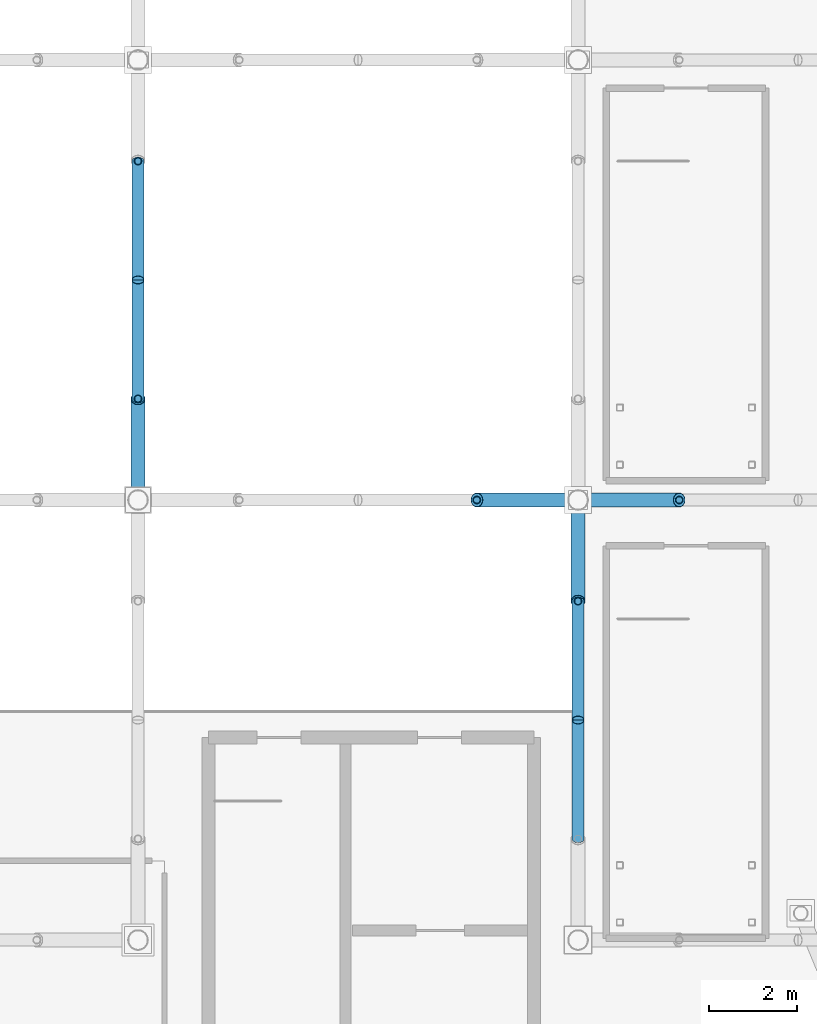
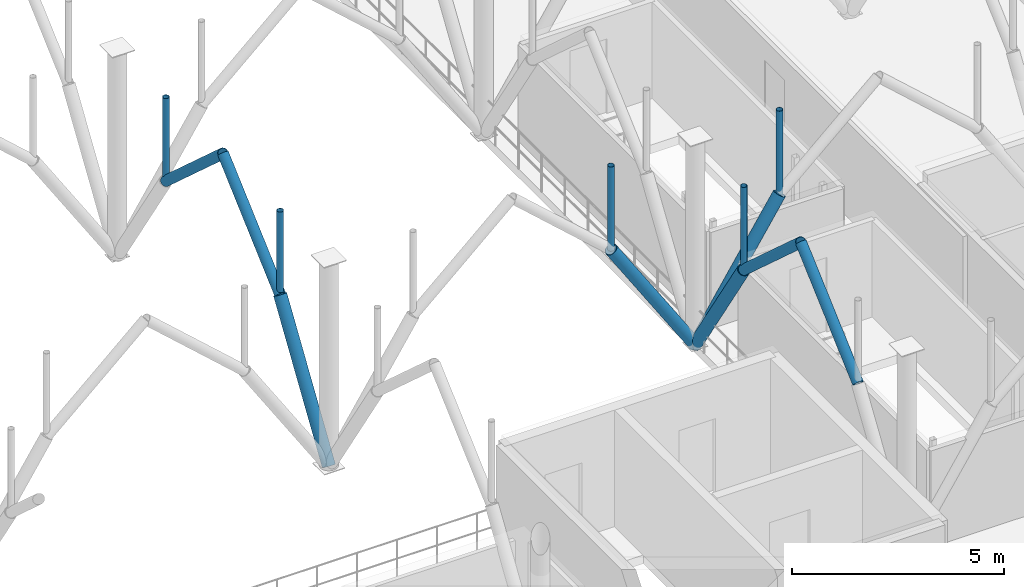
# One storey, part 67 of 109: 13 members.
"""IFC4 building model written with IfcOpenShell, lengths in metres."""

from ifc_helpers import new_model, si_unit, derived_unit, direction, frame, origin, origin_2d_with_axis, place, context, subcontext, project, spatial, hollow_circle, extrude, material, material_profile, profile_set, type_object, element, save


model = new_model("IFC4")

# Units and contexts
model_context = context("Model", 3, precision=1e-05, world=origin(), true_north=direction((0.0, 1.0)))
body_context = subcontext(model_context, "Body", "Model", "MODEL_VIEW")
ifc_project = project(units=[si_unit("LENGTHUNIT", "METRE"), si_unit("AREAUNIT", "SQUARE_METRE"), si_unit("VOLUMEUNIT", "CUBIC_METRE"), si_unit("PLANEANGLEUNIT", "RADIAN"), si_unit("MASSUNIT", "GRAM", prefix="KILO"), derived_unit("THERMALTRANSMITTANCEUNIT", [(si_unit("POWERUNIT", "WATT"), 1), (si_unit("LENGTHUNIT", "METRE"), -2), (si_unit("THERMODYNAMICTEMPERATUREUNIT", "KELVIN"), -1)])], contexts=[model_context])

# Site, building, storey
site_placement = place(None, origin())
site = spatial("IfcSite", under=ifc_project, at=site_placement, CompositionType="ELEMENT")
building_placement = place(site_placement, origin())
building = spatial("IfcBuilding", under=site, at=building_placement, Name="Cinnabar Yard Market Hall", CompositionType="ELEMENT")
storey_placement = place(building_placement, frame((0.0, 0.0, 8.39990234375)))
storey = spatial("IfcBuildingStorey", under=building, at=storey_placement, Name="L02", CompositionType="ELEMENT", Elevation=8.39990234375)

# Members
ifc_material_1 = material(Name="Spotted-gum glulam-clad steel Grade 350 (350 MPa)", Category="steel")
ifc_material_profile_1 = material_profile(ifc_material_1, hollow_circle(Radius=0.136474609375, WallThickness=0.00927734375, at=origin_2d_with_axis()), Name="273.1x9.3CHS")
ifc_profile_set_1 = profile_set([ifc_material_profile_1], Name="Spotted-gum glulam-clad steel Grade 350 (350 MPa)")
member_type_1 = type_object("IfcMemberType", Name="MB-AR01", PredefinedType="USERDEFINED", material=ifc_profile_set_1)
for number, where, z_axis, x_axis, name in (
    (1, (136.0, 36.300048828125, 3.550048828125), (0.0, 0.743297488271, 0.668961018244), (-1.0, 0.0, 0.0), "Pointed Arch Rib 0104"),
    (2, (136.0, 41.699951171875, 3.550048828125), (0.0, -0.743297488271, 0.668961018244), (1.0, 0.0, 0.0), "Pointed Arch Rib 0109"),
    (3, (146.0, 26.300048828125, 3.550048828125), (0.0, 0.743297488271, 0.668961018244), (-1.0, 0.0, 0.0), "Pointed Arch Rib 0117"),
    (4, (146.0, 31.699951171875, 3.550048828125), (0.0, -0.743297488271, 0.668961018244), (1.0, 0.0, 0.0), "Pointed Arch Rib 0121"),
):
    element("IfcMember", number, at=place(storey_placement, frame(where, z_axis=z_axis, x_axis=x_axis)), inside=storey, type_object=member_type_1, Name=name, ObjectType="ARCH RIB", PredefinedType="USERDEFINED", context=body_context, shape_type="SweptSolid", body=[
        extrude(hollow_circle(Radius=0.136474609375, WallThickness=0.00927734375, at=origin_2d_with_axis()), origin(), (0.0, 0.0, 1.0), 3.63232421875),
    ])
ifc_material_profile_2 = material_profile(ifc_material_1, hollow_circle(Radius=0.161865234375, WallThickness=0.009521484375, at=origin_2d_with_axis()), Name="323.9x9.5CHS")
ifc_profile_set_2 = profile_set([ifc_material_profile_2], Name="Spotted-gum glulam-clad steel Grade 350 (350 MPa)")
member_type_2 = type_object("IfcMemberType", Name="MB-ST01", PredefinedType="STRUT", material=ifc_profile_set_2)
for number, where, z_axis, x_axis, name in (
    (5, (136.0, 34.0, 0.0), (0.0, 0.543744165176, 0.839251024925), (-1.0, 0.0, 0.0), "Curved Branch Arm Lower 0104"),
    (6, (146.0, 34.0, 0.0), (0.543744165176, 0.0, 0.839251024925), (0.0, 1.0, 0.0), "Curved Branch Arm Lower 0118"),
    (7, (146.0, 34.0, 0.0), (-0.543744165176, 0.0, 0.839251024925), (0.0, -1.0, 0.0), "Curved Branch Arm Lower 0119"),
    (8, (146.0, 34.0, 0.0), (0.0, -0.543744165176, 0.839251024925), (1.0, 0.0, 0.0), "Curved Branch Arm Lower 0121"),
):
    element("IfcMember", number, at=place(storey_placement, frame(where, z_axis=z_axis, x_axis=x_axis)), inside=storey, type_object=member_type_2, Name=name, PredefinedType="STRUT", context=body_context, shape_type="SweptSolid", body=[
        extrude(hollow_circle(Radius=0.161865234375, WallThickness=0.009521484375, at=origin_2d_with_axis()), origin(), (0.0, 0.0, 1.0), 4.22998046875),
    ])
ifc_material_2 = material(Name="Cold-formed steel C350L0", Category="steel")
ifc_material_profile_3 = material_profile(ifc_material_2, hollow_circle(Radius=0.084228515625, WallThickness=0.00634765625, at=origin_2d_with_axis()), Name="168.3x6.4CHS")
ifc_profile_set_3 = profile_set([ifc_material_profile_3], Name="Cold-formed steel C350L0")
member_type_3 = type_object("IfcMemberType", Name="MB-WB01", PredefinedType="STRUT", material=ifc_profile_set_3)
for number, where, z_axis, x_axis, name in (
    (9, (136.0, 36.300048828125, 3.550048828125), (0.0, 0.0, 1.0), (1.0, 0.0, 0.0), "Arch Spandrel Post 0104"),
    (10, (136.0, 41.699951171875, 3.550048828125), (0.0, 0.0, 1.0), (1.0, 0.0, 0.0), "Arch Spandrel Post 0109"),
    (11, (148.300048828125, 34.0, 3.550048828125), (0.0, 0.0, 1.0), (1.0, 0.0, 0.0), "Arch Spandrel Post 0118"),
    (12, (143.699951171875, 34.0, 3.550048828125), (0.0, 0.0, 1.0), (1.0, 0.0, 0.0), "Arch Spandrel Post 0119"),
    (13, (146.0, 31.699951171875, 3.550048828125), (0.0, 0.0, 1.0), (1.0, 0.0, 0.0), "Arch Spandrel Post 0121"),
):
    element("IfcMember", number, at=place(storey_placement, frame(where, z_axis=z_axis, x_axis=x_axis)), inside=storey, type_object=member_type_3, Name=name, PredefinedType="STRUT", context=body_context, shape_type="SweptSolid", body=[
        extrude(hollow_circle(Radius=0.084228515625, WallThickness=0.00634765625, at=origin_2d_with_axis()), origin(), (0.0, 0.0, 1.0), 2.429931640625),
    ])

save(model, "model.ifc")
